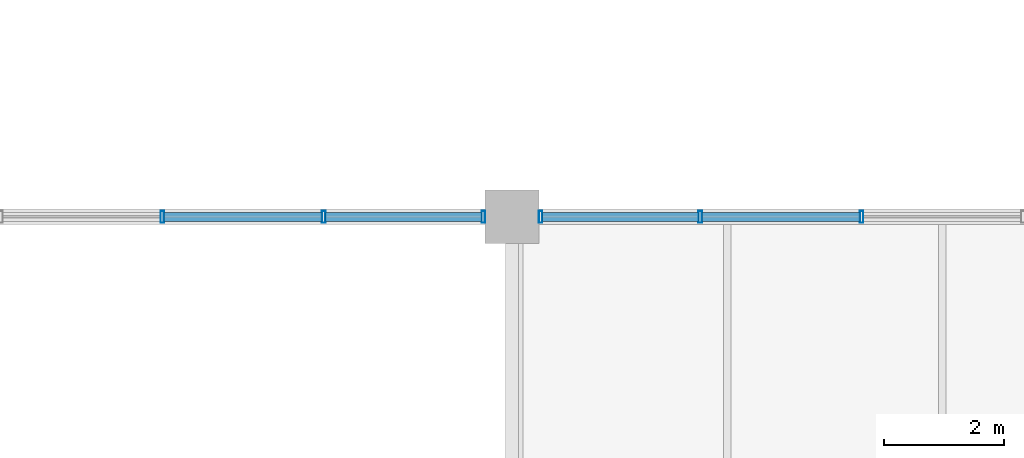
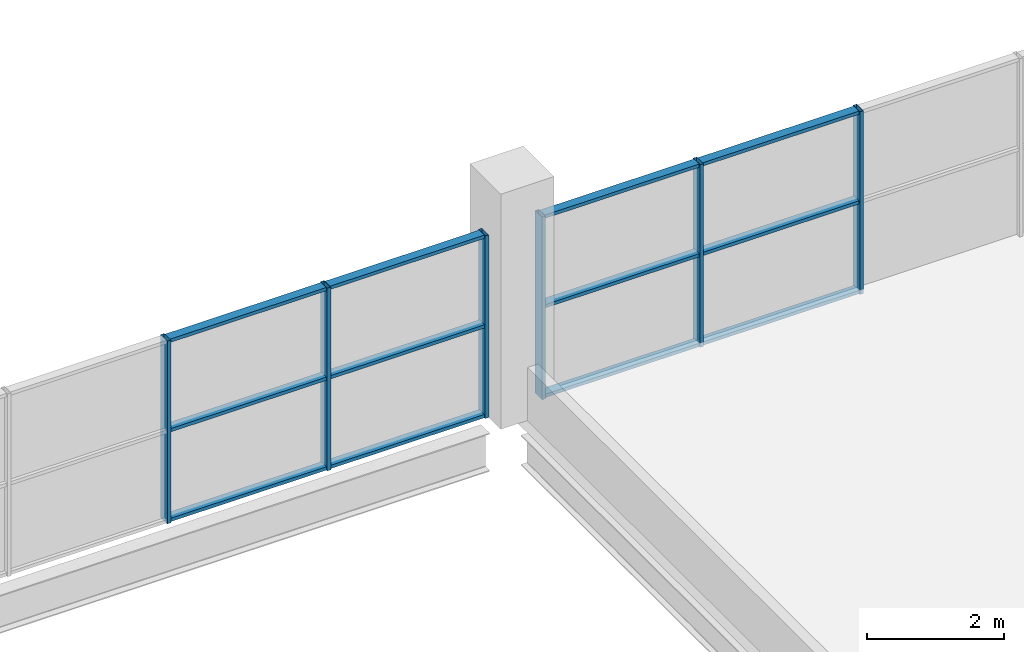
# One storey, part 12 of 93: 18 members, 2 elements without a shape of their own.
"""IFC4 building model written with IfcOpenShell, lengths in metres."""

from ifc_helpers import new_model, si_unit, direction, frame, origin, origin_2d, place, context, subcontext, project, spatial, hollow_rectangle, extrude, material, material_profile, profile_set, type_object, element, aggregate, save


model = new_model("IFC4")

# Units and contexts
model_context = context("Model", 3, precision=1e-05, world=origin(), true_north=direction((0.0, 1.0)))
body_context = subcontext(model_context, "Body", "Model", "MODEL_VIEW")
ifc_project = project(units=[si_unit("LENGTHUNIT", "METRE"), si_unit("AREAUNIT", "SQUARE_METRE"), si_unit("VOLUMEUNIT", "CUBIC_METRE"), si_unit("PLANEANGLEUNIT", "RADIAN"), si_unit("MASSUNIT", "GRAM", prefix="KILO"), si_unit("THERMODYNAMICTEMPERATUREUNIT", "KELVIN")], contexts=[model_context])

# Site, building, storey
site_placement = place(None, origin())
site = spatial("IfcSite", under=ifc_project, at=site_placement, CompositionType="ELEMENT")
building_placement = place(site_placement, origin())
building = spatial("IfcBuilding", under=site, at=building_placement, Name="Nduvali Passage Aquatics Centre", CompositionType="ELEMENT")
storey_placement = place(building_placement, frame((0.0, 0.0, 9.0)))
storey = spatial("IfcBuildingStorey", under=building, at=storey_placement, Name="L02", CompositionType="ELEMENT", Elevation=9.0)

# Curtain wall, members
ifc_material = material(Name="Aluminium EN AW-6063 T6", Category="aluminium")
curtain_wall_type = type_object("IfcCurtainWallType", Name="ENV-CW-CLER", PredefinedType="NOTDEFINED", material=ifc_material)
curtain_wall_1_placement = place(storey_placement, origin())
curtain_wall_1 = element("IfcCurtainWall", 1, at=curtain_wall_1_placement, inside=storey, type_object=curtain_wall_type, Name="L02 South Pool Hall Corner Clerestory 045", PredefinedType="NOTDEFINED")
ifc_material_profile_1 = material_profile(ifc_material, hollow_rectangle(XDim=0.06005859375, YDim=0.199951171875, WallThickness=0.00390625, at=origin_2d()), Name="ALU MULLION 60x200x4")
ifc_profile_set_1 = profile_set([ifc_material_profile_1], Name="Aluminium EN AW-6063 T6")
member_type_1 = type_object("IfcMemberType", Name="ENV-MEM-MUL80", PredefinedType="MULLION", material=ifc_profile_set_1)
member_1_placement = place(storey_placement, frame((33.75, 25.199951171875, 0.0), z_axis=(0.0, 0.0, 1.0), x_axis=(1.0, 0.0, 0.0)))
member_1 = element("IfcMember", 2, at=member_1_placement, type_object=member_type_1, Name="South Pool Hall Corner Clerestory Mullion 4", PredefinedType="MULLION", context=body_context, shape_type="SweptSolid", body=[
    extrude(hollow_rectangle(XDim=0.06005859375, YDim=0.199951171875, WallThickness=0.00390625, at=origin_2d()), origin(), (0.0, 0.0, 1.0), 3.2626953125),
])
member_2_placement = place(storey_placement, frame((36.449951171875, 25.199951171875, 0.0), z_axis=(0.0, 0.0, 1.0), x_axis=(1.0, 0.0, 0.0)))
member_2 = element("IfcMember", 3, at=member_2_placement, type_object=member_type_1, Name="South Pool Hall Corner Clerestory Mullion 5", PredefinedType="MULLION", context=body_context, shape_type="SweptSolid", body=[
    extrude(hollow_rectangle(XDim=0.06005859375, YDim=0.199951171875, WallThickness=0.00390625, at=origin_2d()), origin(), (0.0, 0.0, 1.0), 3.2626953125),
])
member_3_placement = place(storey_placement, frame((39.1201171875, 25.199951171875, 0.0), z_axis=(0.0, 0.0, 1.0), x_axis=(1.0, 0.0, 0.0)))
member_3 = element("IfcMember", 4, at=member_3_placement, type_object=member_type_1, Name="South Pool Hall Corner Clerestory Mullion 6", PredefinedType="MULLION", context=body_context, shape_type="SweptSolid", body=[
    extrude(hollow_rectangle(XDim=0.06005859375, YDim=0.199951171875, WallThickness=0.00390625, at=origin_2d()), origin(), (0.0, 0.0, 1.0), 3.2626953125),
])

curtain_wall_2_placement = place(storey_placement, origin())
curtain_wall_2 = element("IfcCurtainWall", 5, at=curtain_wall_2_placement, inside=storey, type_object=curtain_wall_type, Name="L02 South Pool Hall Eave Clerestory 047", PredefinedType="NOTDEFINED")
member_4_placement = place(storey_placement, frame((40.080078125, 25.199951171875, 0.0), z_axis=(0.0, 0.0, 1.0), x_axis=(1.0, 0.0, 0.0)))
member_4 = element("IfcMember", 6, at=member_4_placement, type_object=member_type_1, Name="South Pool Hall Eave Clerestory Mullion 1", PredefinedType="MULLION", context=body_context, shape_type="SweptSolid", body=[
    extrude(hollow_rectangle(XDim=0.06005859375, YDim=0.199951171875, WallThickness=0.00390625, at=origin_2d()), origin(), (0.0, 0.0, 1.0), 3.2626953125),
])
member_5_placement = place(storey_placement, frame((42.75, 25.199951171875, 0.0), z_axis=(0.0, 0.0, 1.0), x_axis=(1.0, 0.0, 0.0)))
member_5 = element("IfcMember", 7, at=member_5_placement, type_object=member_type_1, Name="South Pool Hall Eave Clerestory Mullion 2", PredefinedType="MULLION", context=body_context, shape_type="SweptSolid", body=[
    extrude(hollow_rectangle(XDim=0.06005859375, YDim=0.199951171875, WallThickness=0.00390625, at=origin_2d()), origin(), (0.0, 0.0, 1.0), 3.2626953125),
])
member_6_placement = place(storey_placement, frame((45.449951171875, 25.199951171875, 0.0), z_axis=(0.0, 0.0, 1.0), x_axis=(1.0, 0.0, 0.0)))
member_6 = element("IfcMember", 8, at=member_6_placement, type_object=member_type_1, Name="South Pool Hall Eave Clerestory Mullion 3", PredefinedType="MULLION", context=body_context, shape_type="SweptSolid", body=[
    extrude(hollow_rectangle(XDim=0.06005859375, YDim=0.199951171875, WallThickness=0.00390625, at=origin_2d()), origin(), (0.0, 0.0, 1.0), 3.2626953125),
])

# Member
ifc_material_profile_2 = material_profile(ifc_material, hollow_rectangle(XDim=0.14990234375, YDim=0.06005859375, WallThickness=0.00390625, at=origin_2d()), Name="ALU TRANSOM 150x60x4")
ifc_profile_set_2 = profile_set([ifc_material_profile_2], Name="Aluminium EN AW-6063 T6")
member_type_2 = type_object("IfcMemberType", Name="ENV-MEM-TRN80", PredefinedType="USERDEFINED", material=ifc_profile_set_2)
member_7_placement = place(storey_placement, frame((33.780029296875, 25.199951171875, 0.030029296875), z_axis=(1.0, 0.0, 0.0), x_axis=(0.0, 1.0, 0.0)))
member_7 = element("IfcMember", 9, at=member_7_placement, type_object=member_type_2, Name="South Pool Hall Corner Clerestory Transom B4-R0", ObjectType="TRANSOM", PredefinedType="USERDEFINED", context=body_context, shape_type="SweptSolid", body=[
    extrude(hollow_rectangle(XDim=0.14990234375, YDim=0.06005859375, WallThickness=0.00390625, at=origin_2d()), origin(), (0.0, 0.0, 1.0), 2.639892578125),
])

member_8_placement = place(storey_placement, frame((33.780029296875, 25.199951171875, 1.63134765625), z_axis=(1.0, 0.0, 0.0), x_axis=(0.0, 1.0, 0.0)))
member_8 = element("IfcMember", 10, at=member_8_placement, type_object=member_type_2, Name="South Pool Hall Corner Clerestory Transom B4-R1", ObjectType="TRANSOM", PredefinedType="USERDEFINED", context=body_context, shape_type="SweptSolid", body=[
    extrude(hollow_rectangle(XDim=0.14990234375, YDim=0.06005859375, WallThickness=0.00390625, at=origin_2d()), origin(), (0.0, 0.0, 1.0), 2.639892578125),
])

member_9_placement = place(storey_placement, frame((33.780029296875, 25.199951171875, 3.232666015625), z_axis=(1.0, 0.0, 0.0), x_axis=(0.0, 1.0, 0.0)))
member_9 = element("IfcMember", 11, at=member_9_placement, type_object=member_type_2, Name="South Pool Hall Corner Clerestory Transom B4-R2", ObjectType="TRANSOM", PredefinedType="USERDEFINED", context=body_context, shape_type="SweptSolid", body=[
    extrude(hollow_rectangle(XDim=0.14990234375, YDim=0.06005859375, WallThickness=0.00390625, at=origin_2d()), origin(), (0.0, 0.0, 1.0), 2.639892578125),
])

member_10_placement = place(storey_placement, frame((36.47998046875, 25.199951171875, 0.030029296875), z_axis=(1.0, 0.0, 0.0), x_axis=(0.0, 1.0, 0.0)))
member_10 = element("IfcMember", 12, at=member_10_placement, type_object=member_type_2, Name="South Pool Hall Corner Clerestory Transom B5-R0", ObjectType="TRANSOM", PredefinedType="USERDEFINED", context=body_context, shape_type="SweptSolid", body=[
    extrude(hollow_rectangle(XDim=0.14990234375, YDim=0.06005859375, WallThickness=0.00390625, at=origin_2d()), origin(), (0.0, 0.0, 1.0), 2.610107421875),
])

member_11_placement = place(storey_placement, frame((36.47998046875, 25.199951171875, 1.63134765625), z_axis=(1.0, 0.0, 0.0), x_axis=(0.0, 1.0, 0.0)))
member_11 = element("IfcMember", 13, at=member_11_placement, type_object=member_type_2, Name="South Pool Hall Corner Clerestory Transom B5-R1", ObjectType="TRANSOM", PredefinedType="USERDEFINED", context=body_context, shape_type="SweptSolid", body=[
    extrude(hollow_rectangle(XDim=0.14990234375, YDim=0.06005859375, WallThickness=0.00390625, at=origin_2d()), origin(), (0.0, 0.0, 1.0), 2.610107421875),
])

member_12_placement = place(storey_placement, frame((36.47998046875, 25.199951171875, 3.232666015625), z_axis=(1.0, 0.0, 0.0), x_axis=(0.0, 1.0, 0.0)))
member_12 = element("IfcMember", 14, at=member_12_placement, type_object=member_type_2, Name="South Pool Hall Corner Clerestory Transom B5-R2", ObjectType="TRANSOM", PredefinedType="USERDEFINED", context=body_context, shape_type="SweptSolid", body=[
    extrude(hollow_rectangle(XDim=0.14990234375, YDim=0.06005859375, WallThickness=0.00390625, at=origin_2d()), origin(), (0.0, 0.0, 1.0), 2.610107421875),
])

aggregate(curtain_wall_1, [member_1, member_2, member_3, member_7, member_8, member_9, member_10, member_11, member_12])

member_13_placement = place(storey_placement, frame((40.110107421875, 25.199951171875, 0.030029296875), z_axis=(1.0, 0.0, 0.0), x_axis=(0.0, 1.0, 0.0)))
member_13 = element("IfcMember", 15, at=member_13_placement, type_object=member_type_2, Name="South Pool Hall Eave Clerestory Transom B1-R0", ObjectType="TRANSOM", PredefinedType="USERDEFINED", context=body_context, shape_type="SweptSolid", body=[
    extrude(hollow_rectangle(XDim=0.14990234375, YDim=0.06005859375, WallThickness=0.00390625, at=origin_2d()), origin(), (0.0, 0.0, 1.0), 2.60986328125),
])

member_14_placement = place(storey_placement, frame((40.110107421875, 25.199951171875, 1.63134765625), z_axis=(1.0, 0.0, 0.0), x_axis=(0.0, 1.0, 0.0)))
member_14 = element("IfcMember", 16, at=member_14_placement, type_object=member_type_2, Name="South Pool Hall Eave Clerestory Transom B1-R1", ObjectType="TRANSOM", PredefinedType="USERDEFINED", context=body_context, shape_type="SweptSolid", body=[
    extrude(hollow_rectangle(XDim=0.14990234375, YDim=0.06005859375, WallThickness=0.00390625, at=origin_2d()), origin(), (0.0, 0.0, 1.0), 2.60986328125),
])

member_15_placement = place(storey_placement, frame((40.110107421875, 25.199951171875, 3.232666015625), z_axis=(1.0, 0.0, 0.0), x_axis=(0.0, 1.0, 0.0)))
member_15 = element("IfcMember", 17, at=member_15_placement, type_object=member_type_2, Name="South Pool Hall Eave Clerestory Transom B1-R2", ObjectType="TRANSOM", PredefinedType="USERDEFINED", context=body_context, shape_type="SweptSolid", body=[
    extrude(hollow_rectangle(XDim=0.14990234375, YDim=0.06005859375, WallThickness=0.00390625, at=origin_2d()), origin(), (0.0, 0.0, 1.0), 2.60986328125),
])

member_16_placement = place(storey_placement, frame((42.780029296875, 25.199951171875, 0.030029296875), z_axis=(1.0, 0.0, 0.0), x_axis=(0.0, 1.0, 0.0)))
member_16 = element("IfcMember", 18, at=member_16_placement, type_object=member_type_2, Name="South Pool Hall Eave Clerestory Transom B2-R0", ObjectType="TRANSOM", PredefinedType="USERDEFINED", context=body_context, shape_type="SweptSolid", body=[
    extrude(hollow_rectangle(XDim=0.14990234375, YDim=0.06005859375, WallThickness=0.00390625, at=origin_2d()), origin(), (0.0, 0.0, 1.0), 2.639892578125),
])

member_17_placement = place(storey_placement, frame((42.780029296875, 25.199951171875, 1.63134765625), z_axis=(1.0, 0.0, 0.0), x_axis=(0.0, 1.0, 0.0)))
member_17 = element("IfcMember", 19, at=member_17_placement, type_object=member_type_2, Name="South Pool Hall Eave Clerestory Transom B2-R1", ObjectType="TRANSOM", PredefinedType="USERDEFINED", context=body_context, shape_type="SweptSolid", body=[
    extrude(hollow_rectangle(XDim=0.14990234375, YDim=0.06005859375, WallThickness=0.00390625, at=origin_2d()), origin(), (0.0, 0.0, 1.0), 2.639892578125),
])

member_18_placement = place(storey_placement, frame((42.780029296875, 25.199951171875, 3.232666015625), z_axis=(1.0, 0.0, 0.0), x_axis=(0.0, 1.0, 0.0)))
member_18 = element("IfcMember", 20, at=member_18_placement, type_object=member_type_2, Name="South Pool Hall Eave Clerestory Transom B2-R2", ObjectType="TRANSOM", PredefinedType="USERDEFINED", context=body_context, shape_type="SweptSolid", body=[
    extrude(hollow_rectangle(XDim=0.14990234375, YDim=0.06005859375, WallThickness=0.00390625, at=origin_2d()), origin(), (0.0, 0.0, 1.0), 2.639892578125),
])

aggregate(curtain_wall_2, [member_4, member_5, member_6, member_13, member_14, member_15, member_16, member_17, member_18])

save(model, "model.ifc")
